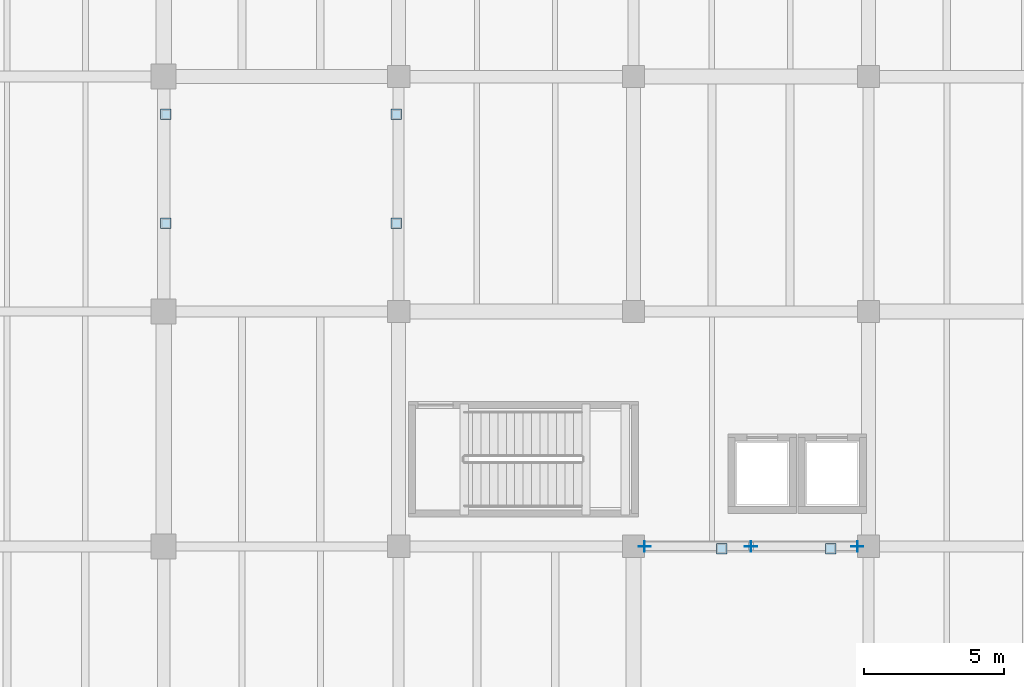
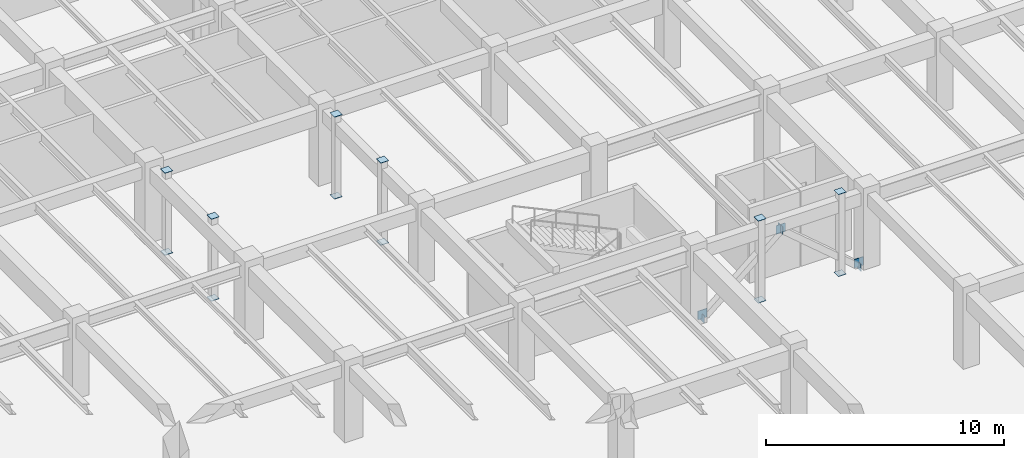
# One storey, part 31 of 63: 18 plates.
"""IFC4 building model written with IfcOpenShell, lengths in metres."""

from ifc_helpers import new_model, si_unit, direction, frame, origin, origin_2d, place, context, subcontext, project, spatial, rectangle, extrude, material, layer, layer_set, type_object, element, save


model = new_model("IFC4")

# Units and contexts
model_context = context("Model", 3, precision=1e-05, world=origin(), true_north=direction((0.0, 1.0)))
body_context = subcontext(model_context, "Body", "Model", "MODEL_VIEW")
ifc_project = project(units=[si_unit("LENGTHUNIT", "METRE"), si_unit("AREAUNIT", "SQUARE_METRE"), si_unit("VOLUMEUNIT", "CUBIC_METRE"), si_unit("PLANEANGLEUNIT", "RADIAN"), si_unit("MASSUNIT", "GRAM", prefix="KILO")], contexts=[model_context])

# Site, building, storey
site_placement = place(None, origin())
site = spatial("IfcSite", under=ifc_project, at=site_placement, CompositionType="ELEMENT")
building_placement = place(site_placement, origin())
building = spatial("IfcBuilding", under=site, at=building_placement, Name="Cumbredor Promenade Congress Hotel", CompositionType="ELEMENT")
storey_placement = place(building_placement, frame((0.0, 0.0, -4.199951171875)))
storey = spatial("IfcBuildingStorey", under=building, at=storey_placement, Name="B01", CompositionType="ELEMENT", Elevation=-4.199951171875)

# Plates
ifc_material = material(Name="Steel ASTM A572 Grade 50", Category="steel")
ifc_layer_1 = layer(ifc_material, 0.02001953125, Name="Steel ASTM A572 Grade 50", Category="steel")
ifc_layer_set_1 = layer_set([ifc_layer_1], Name="Steel ASTM A572 Grade 50")
plate_type_1 = type_object("IfcPlateType", Name="Hollow Section End Cap Plate CP-04", PredefinedType="USERDEFINED", material=ifc_layer_set_1)
for number, where, z_axis, x_axis, name in (
    (1, (101.19384765625, 84.0, -0.195068359375), (0.0, 0.0, 1.0), (1.0, 0.0, 0.0), "B01 Chevron Seismic Brace 8A Start Cap Plate"),
    (2, (105.006103515625, 84.0, 3.05517578125), (0.0, 0.0, 1.0), (1.0, 0.0, 0.0), "B01 Chevron Seismic Brace 8A End Cap Plate"),
    (3, (108.80615234375, 84.0, -0.195068359375), (0.0, 0.0, 1.0), (-1.0, 0.0, 0.0), "B01 Chevron Seismic Brace 8B Start Cap Plate"),
):
    element("IfcPlate", number, at=place(storey_placement, frame(where, z_axis=z_axis, x_axis=x_axis)), inside=storey, type_object=plate_type_1, Name=name, ObjectType="CAP PLATE", PredefinedType="USERDEFINED", context=body_context, shape_type="SweptSolid", body=[
        extrude(rectangle(XDim=0.02001953125, YDim=0.3798828125, at=origin_2d()), origin(), (0.0, 0.0, 1.0), 0.3798828125),
    ])
for number, where, z_axis, x_axis, name in (
    (4, (103.949951171875, 83.919921875, -0.01806640625), (0.0, 0.0, 1.0), (1.0, 0.0, 0.0), "Central Reflecting-Pool Promenade Bridge B01 Substructure Pier 3 Start Cap Plate"),
    (5, (103.949951171875, 83.919921875, 4.197998046875), (0.0, 0.0, 1.0), (1.0, 0.0, 0.0), "Central Reflecting-Pool Promenade Bridge B01 Substructure Pier 3 End Cap Plate"),
    (6, (107.85009765625, 83.919921875, -0.01806640625), (0.0, 0.0, 1.0), (1.0, 0.0, 0.0), "Central Reflecting-Pool Promenade Bridge B01 Substructure Pier 4 Start Cap Plate"),
    (7, (107.85009765625, 83.919921875, 4.197998046875), (0.0, 0.0, 1.0), (1.0, 0.0, 0.0), "Central Reflecting-Pool Promenade Bridge B01 Substructure Pier 4 End Cap Plate"),
    (8, (84.080078125, 95.550048828125, -0.01806640625), (0.0, 0.0, 1.0), (1.0, 0.0, 0.0), "North Hotel-to-Forum Glazed Bridge B01 Substructure Pier 1 Start Cap Plate"),
    (9, (84.080078125, 95.550048828125, 4.197998046875), (0.0, 0.0, 1.0), (1.0, 0.0, 0.0), "North Hotel-to-Forum Glazed Bridge B01 Substructure Pier 1 End Cap Plate"),
    (10, (84.080078125, 99.449951171875, -0.01806640625), (0.0, 0.0, 1.0), (1.0, 0.0, 0.0), "North Hotel-to-Forum Glazed Bridge B01 Substructure Pier 2 Start Cap Plate"),
    (11, (84.080078125, 99.449951171875, 4.197998046875), (0.0, 0.0, 1.0), (1.0, 0.0, 0.0), "North Hotel-to-Forum Glazed Bridge B01 Substructure Pier 2 End Cap Plate"),
    (12, (92.320068359375, 95.550048828125, -0.01806640625), (0.0, 0.0, 1.0), (1.0, 0.0, 0.0), "North Hotel-to-Forum Glazed Bridge B01 Substructure Pier 3 Start Cap Plate"),
    (13, (92.320068359375, 95.550048828125, 4.197998046875), (0.0, 0.0, 1.0), (1.0, 0.0, 0.0), "North Hotel-to-Forum Glazed Bridge B01 Substructure Pier 3 End Cap Plate"),
    (14, (92.320068359375, 99.449951171875, -0.01806640625), (0.0, 0.0, 1.0), (1.0, 0.0, 0.0), "North Hotel-to-Forum Glazed Bridge B01 Substructure Pier 4 Start Cap Plate"),
    (15, (92.320068359375, 99.449951171875, 4.197998046875), (0.0, 0.0, 1.0), (1.0, 0.0, 0.0), "North Hotel-to-Forum Glazed Bridge B01 Substructure Pier 4 End Cap Plate"),
):
    element("IfcPlate", number, at=place(storey_placement, frame(where, z_axis=z_axis, x_axis=x_axis)), inside=storey, type_object=plate_type_1, Name=name, ObjectType="CAP PLATE", PredefinedType="USERDEFINED", context=body_context, shape_type="SweptSolid", body=[
        extrude(rectangle(XDim=0.3798828125, YDim=0.3798828125, at=origin_2d()), origin(), (0.0, 0.0, 1.0), 0.02001953125),
    ])
ifc_layer_2 = layer(ifc_material, 0.028076171875, Name="Steel ASTM A572 Grade 50", Category="steel")
ifc_layer_set_2 = layer_set([ifc_layer_2], Name="Steel ASTM A572 Grade 50")
plate_type_2 = type_object("IfcPlateType", Name="Space Frame Node Assembly ND-03", PredefinedType="USERDEFINED", material=ifc_layer_set_2)
for number, where, z_axis, x_axis, name in (
    (16, (101.199951171875, 84.0, -0.0400390625), (0.0, 0.0, 1.0), (1.0, 0.0, 0.0), "B01 Seismic Frame Gusset Plate 8-BL"),
    (17, (108.800048828125, 84.0, -0.0400390625), (0.0, 0.0, 1.0), (1.0, 0.0, 0.0), "B01 Seismic Frame Gusset Plate 8-BR"),
    (18, (105.0, 84.0, 3.02001953125), (0.0, 0.0, 1.0), (1.0, 0.0, 0.0), "B01 Seismic Frame Gusset Plate 8-APX"),
):
    element("IfcPlate", number, at=place(storey_placement, frame(where, z_axis=z_axis, x_axis=x_axis)), inside=storey, type_object=plate_type_2, Name=name, ObjectType="GUSSET PLATE", PredefinedType="USERDEFINED", context=body_context, shape_type="SweptSolid", body=[
        extrude(rectangle(XDim=0.43994140625, YDim=0.028076171875, at=origin_2d()), origin(), (0.0, 0.0, 1.0), 0.43994140625),
    ])

save(model, "model.ifc")
